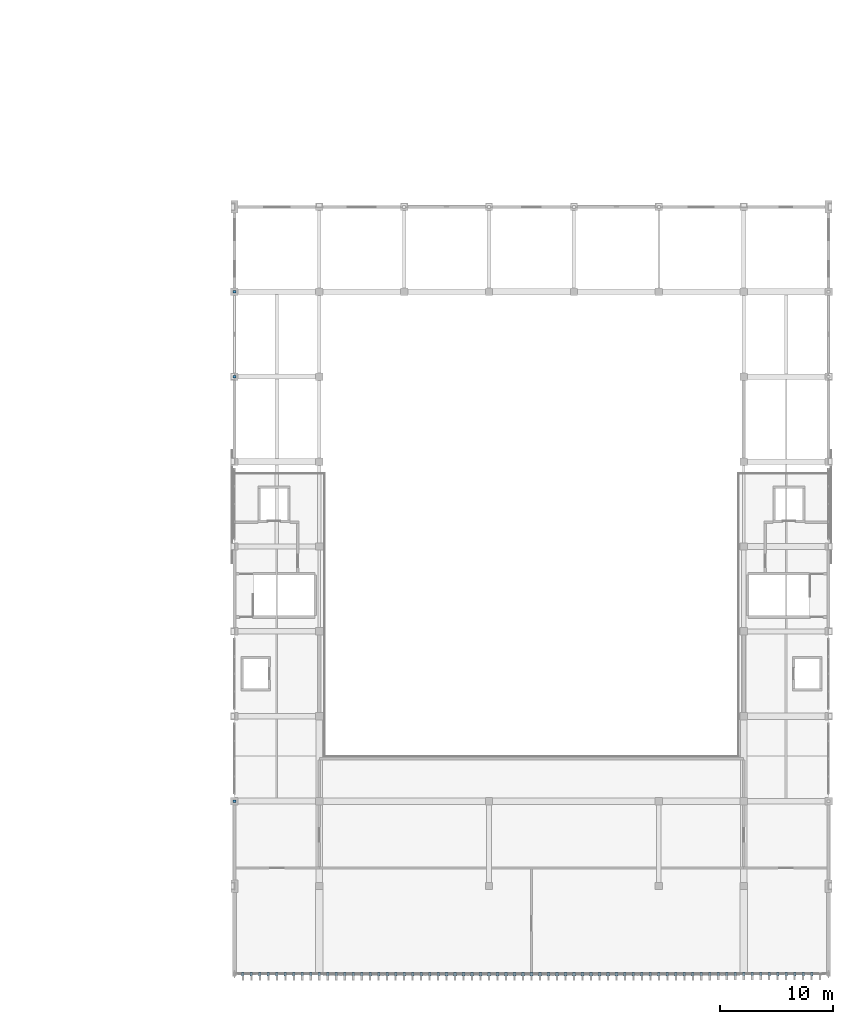
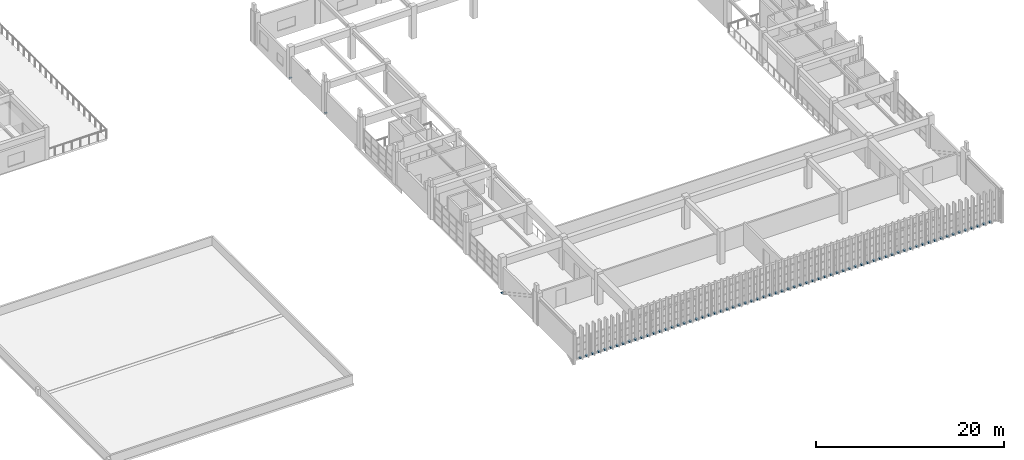
# One storey, part 40 of 51: 71 discrete accessories.
"""IFC4 building model written with IfcOpenShell, lengths in metres."""

from ifc_helpers import new_model, si_unit, direction, frame, origin, origin_2d, place, context, subcontext, project, spatial, rectangle, extrude, material, type_object, element, save


model = new_model("IFC4")

# Units and contexts
model_context = context("Model", 3, precision=1e-05, world=origin(), true_north=direction((0.0, 1.0)))
body_context = subcontext(model_context, "Body", "Model", "MODEL_VIEW")
ifc_project = project(units=[si_unit("LENGTHUNIT", "METRE"), si_unit("AREAUNIT", "SQUARE_METRE"), si_unit("VOLUMEUNIT", "CUBIC_METRE"), si_unit("PLANEANGLEUNIT", "RADIAN"), si_unit("MASSUNIT", "GRAM", prefix="KILO")], contexts=[model_context])

# Site, building, storey
site_placement = place(None, origin())
site = spatial("IfcSite", under=ifc_project, at=site_placement, CompositionType="ELEMENT")
building_placement = place(site_placement, origin())
building = spatial("IfcBuilding", under=site, at=building_placement, Name="Qasida Concert Hall", CompositionType="ELEMENT")
storey_placement = place(building_placement, frame((0.0, 0.0, 21.0)))
storey = spatial("IfcBuildingStorey", under=building, at=storey_placement, Name="L05", CompositionType="ELEMENT", Elevation=21.0)

# Discrete accessories
ifc_material_1 = material(Name="Steel S355J2", Category="steel")
discrete_accessory_type_1 = type_object("IfcDiscreteAccessoryType", Name="ACC-CONN-S355", PredefinedType="BRACKET", material=ifc_material_1)
for number, where, z_axis, x_axis, name in (
    (1, (52.5, 30.0, -0.612060546875), (0.0, 0.0, 1.0), (1.0, 0.0, 0.0), "Steel brace/strut end connection CN-0006"),
    (2, (52.5, 67.5, -0.011962890625), (0.0, 0.0, 1.0), (1.0, 0.0, 0.0), "Steel brace/strut end connection CN-0190"),
    (3, (52.5, 75.0, -0.011962890625), (0.0, 0.0, 1.0), (1.0, 0.0, 0.0), "Steel brace/strut end connection CN-0191"),
):
    element("IfcDiscreteAccessory", number, at=place(storey_placement, frame(where, z_axis=z_axis, x_axis=x_axis)), inside=storey, type_object=discrete_accessory_type_1, Name=name, PredefinedType="BRACKET", context=body_context, shape_type="SweptSolid", body=[
        extrude(rectangle(XDim=0.280029296875, YDim=0.239990234375, at=origin_2d()), origin(), (0.0, 0.0, 1.0), 0.02392578125),
    ])
ifc_material_2 = material(Name="Stainless steel EN 1.4401", Category="steel")
discrete_accessory_type_2 = type_object("IfcDiscreteAccessoryType", Name="ACC-FIN-BRK", PredefinedType="BRACKET", material=ifc_material_2)
for number, where, z_axis, x_axis, name in (
    (4, (53.25, 14.699951171875, -0.08984375), (0.0, 0.0, 1.0), (1.0, 0.0, 0.0), "Facade fin anchor bracket FB-001"),
    (5, (54.0, 14.699951171875, -0.08984375), (0.0, 0.0, 1.0), (1.0, 0.0, 0.0), "Facade fin anchor bracket FB-002"),
    (6, (54.75, 14.699951171875, -0.08984375), (0.0, 0.0, 1.0), (1.0, 0.0, 0.0), "Facade fin anchor bracket FB-003"),
    (7, (55.5, 14.699951171875, -0.08984375), (0.0, 0.0, 1.0), (1.0, 0.0, 0.0), "Facade fin anchor bracket FB-004"),
    (8, (56.25, 14.699951171875, -0.08984375), (0.0, 0.0, 1.0), (1.0, 0.0, 0.0), "Facade fin anchor bracket FB-005"),
    (9, (57.0, 14.699951171875, -0.08984375), (0.0, 0.0, 1.0), (1.0, 0.0, 0.0), "Facade fin anchor bracket FB-006"),
    (10, (57.75, 14.699951171875, -0.08984375), (0.0, 0.0, 1.0), (1.0, 0.0, 0.0), "Facade fin anchor bracket FB-007"),
    (11, (58.5, 14.699951171875, -0.08984375), (0.0, 0.0, 1.0), (1.0, 0.0, 0.0), "Facade fin anchor bracket FB-008"),
    (12, (59.25, 14.699951171875, -0.08984375), (0.0, 0.0, 1.0), (1.0, 0.0, 0.0), "Facade fin anchor bracket FB-009"),
    (13, (60.0, 14.699951171875, -0.08984375), (0.0, 0.0, 1.0), (1.0, 0.0, 0.0), "Facade fin anchor bracket FB-010"),
    (14, (60.75, 14.699951171875, -0.08984375), (0.0, 0.0, 1.0), (1.0, 0.0, 0.0), "Facade fin anchor bracket FB-011"),
    (15, (61.5, 14.699951171875, -0.08984375), (0.0, 0.0, 1.0), (1.0, 0.0, 0.0), "Facade fin anchor bracket FB-012"),
    (16, (62.25, 14.699951171875, -0.08984375), (0.0, 0.0, 1.0), (1.0, 0.0, 0.0), "Facade fin anchor bracket FB-013"),
    (17, (63.0, 14.699951171875, -0.08984375), (0.0, 0.0, 1.0), (1.0, 0.0, 0.0), "Facade fin anchor bracket FB-014"),
    (18, (63.75, 14.699951171875, -0.08984375), (0.0, 0.0, 1.0), (1.0, 0.0, 0.0), "Facade fin anchor bracket FB-015"),
    (19, (64.5, 14.699951171875, -0.08984375), (0.0, 0.0, 1.0), (1.0, 0.0, 0.0), "Facade fin anchor bracket FB-016"),
    (20, (65.25, 14.699951171875, -0.08984375), (0.0, 0.0, 1.0), (1.0, 0.0, 0.0), "Facade fin anchor bracket FB-017"),
    (21, (66.0, 14.699951171875, -0.08984375), (0.0, 0.0, 1.0), (1.0, 0.0, 0.0), "Facade fin anchor bracket FB-018"),
    (22, (66.75, 14.699951171875, -0.08984375), (0.0, 0.0, 1.0), (1.0, 0.0, 0.0), "Facade fin anchor bracket FB-019"),
    (23, (67.5, 14.699951171875, -0.08984375), (0.0, 0.0, 1.0), (1.0, 0.0, 0.0), "Facade fin anchor bracket FB-020"),
    (24, (68.25, 14.699951171875, -0.08984375), (0.0, 0.0, 1.0), (1.0, 0.0, 0.0), "Facade fin anchor bracket FB-021"),
    (25, (69.0, 14.699951171875, -0.08984375), (0.0, 0.0, 1.0), (1.0, 0.0, 0.0), "Facade fin anchor bracket FB-022"),
    (26, (69.75, 14.699951171875, -0.08984375), (0.0, 0.0, 1.0), (1.0, 0.0, 0.0), "Facade fin anchor bracket FB-023"),
    (27, (70.5, 14.699951171875, -0.08984375), (0.0, 0.0, 1.0), (1.0, 0.0, 0.0), "Facade fin anchor bracket FB-024"),
    (28, (71.25, 14.699951171875, -0.08984375), (0.0, 0.0, 1.0), (1.0, 0.0, 0.0), "Facade fin anchor bracket FB-025"),
    (29, (72.0, 14.699951171875, -0.08984375), (0.0, 0.0, 1.0), (1.0, 0.0, 0.0), "Facade fin anchor bracket FB-026"),
    (30, (72.75, 14.699951171875, -0.08984375), (0.0, 0.0, 1.0), (1.0, 0.0, 0.0), "Facade fin anchor bracket FB-027"),
    (31, (73.5, 14.699951171875, -0.08984375), (0.0, 0.0, 1.0), (1.0, 0.0, 0.0), "Facade fin anchor bracket FB-028"),
    (32, (74.25, 14.699951171875, -0.08984375), (0.0, 0.0, 1.0), (1.0, 0.0, 0.0), "Facade fin anchor bracket FB-029"),
    (33, (75.0, 14.699951171875, -0.08984375), (0.0, 0.0, 1.0), (1.0, 0.0, 0.0), "Facade fin anchor bracket FB-030"),
    (34, (75.75, 14.699951171875, -0.08984375), (0.0, 0.0, 1.0), (1.0, 0.0, 0.0), "Facade fin anchor bracket FB-031"),
    (35, (76.5, 14.699951171875, -0.08984375), (0.0, 0.0, 1.0), (1.0, 0.0, 0.0), "Facade fin anchor bracket FB-032"),
    (36, (77.25, 14.699951171875, -0.08984375), (0.0, 0.0, 1.0), (1.0, 0.0, 0.0), "Facade fin anchor bracket FB-033"),
    (37, (78.0, 14.699951171875, -0.08984375), (0.0, 0.0, 1.0), (1.0, 0.0, 0.0), "Facade fin anchor bracket FB-034"),
    (38, (78.75, 14.699951171875, -0.08984375), (0.0, 0.0, 1.0), (1.0, 0.0, 0.0), "Facade fin anchor bracket FB-035"),
    (39, (79.5, 14.699951171875, -0.08984375), (0.0, 0.0, 1.0), (1.0, 0.0, 0.0), "Facade fin anchor bracket FB-036"),
    (40, (80.25, 14.699951171875, -0.08984375), (0.0, 0.0, 1.0), (1.0, 0.0, 0.0), "Facade fin anchor bracket FB-037"),
    (41, (81.0, 14.699951171875, -0.08984375), (0.0, 0.0, 1.0), (1.0, 0.0, 0.0), "Facade fin anchor bracket FB-038"),
    (42, (81.75, 14.699951171875, -0.08984375), (0.0, 0.0, 1.0), (1.0, 0.0, 0.0), "Facade fin anchor bracket FB-039"),
    (43, (82.5, 14.699951171875, -0.08984375), (0.0, 0.0, 1.0), (1.0, 0.0, 0.0), "Facade fin anchor bracket FB-040"),
    (44, (83.25, 14.699951171875, -0.08984375), (0.0, 0.0, 1.0), (1.0, 0.0, 0.0), "Facade fin anchor bracket FB-041"),
    (45, (84.0, 14.699951171875, -0.08984375), (0.0, 0.0, 1.0), (1.0, 0.0, 0.0), "Facade fin anchor bracket FB-042"),
    (46, (84.75, 14.699951171875, -0.08984375), (0.0, 0.0, 1.0), (1.0, 0.0, 0.0), "Facade fin anchor bracket FB-043"),
    (47, (85.5, 14.699951171875, -0.08984375), (0.0, 0.0, 1.0), (1.0, 0.0, 0.0), "Facade fin anchor bracket FB-044"),
    (48, (86.25, 14.699951171875, -0.08984375), (0.0, 0.0, 1.0), (1.0, 0.0, 0.0), "Facade fin anchor bracket FB-045"),
    (49, (87.0, 14.699951171875, -0.08984375), (0.0, 0.0, 1.0), (1.0, 0.0, 0.0), "Facade fin anchor bracket FB-046"),
    (50, (87.75, 14.699951171875, -0.08984375), (0.0, 0.0, 1.0), (1.0, 0.0, 0.0), "Facade fin anchor bracket FB-047"),
    (51, (88.5, 14.699951171875, -0.08984375), (0.0, 0.0, 1.0), (1.0, 0.0, 0.0), "Facade fin anchor bracket FB-048"),
    (52, (89.25, 14.699951171875, -0.08984375), (0.0, 0.0, 1.0), (1.0, 0.0, 0.0), "Facade fin anchor bracket FB-049"),
    (53, (90.0, 14.699951171875, -0.08984375), (0.0, 0.0, 1.0), (1.0, 0.0, 0.0), "Facade fin anchor bracket FB-050"),
    (54, (90.75, 14.699951171875, -0.08984375), (0.0, 0.0, 1.0), (1.0, 0.0, 0.0), "Facade fin anchor bracket FB-051"),
    (55, (91.5, 14.699951171875, -0.08984375), (0.0, 0.0, 1.0), (1.0, 0.0, 0.0), "Facade fin anchor bracket FB-052"),
    (56, (92.25, 14.699951171875, -0.08984375), (0.0, 0.0, 1.0), (1.0, 0.0, 0.0), "Facade fin anchor bracket FB-053"),
    (57, (93.0, 14.699951171875, -0.08984375), (0.0, 0.0, 1.0), (1.0, 0.0, 0.0), "Facade fin anchor bracket FB-054"),
    (58, (93.75, 14.699951171875, -0.08984375), (0.0, 0.0, 1.0), (1.0, 0.0, 0.0), "Facade fin anchor bracket FB-055"),
    (59, (94.5, 14.699951171875, -0.08984375), (0.0, 0.0, 1.0), (1.0, 0.0, 0.0), "Facade fin anchor bracket FB-056"),
    (60, (95.25, 14.699951171875, -0.08984375), (0.0, 0.0, 1.0), (1.0, 0.0, 0.0), "Facade fin anchor bracket FB-057"),
    (61, (96.0, 14.699951171875, -0.08984375), (0.0, 0.0, 1.0), (1.0, 0.0, 0.0), "Facade fin anchor bracket FB-058"),
    (62, (96.75, 14.699951171875, -0.08984375), (0.0, 0.0, 1.0), (1.0, 0.0, 0.0), "Facade fin anchor bracket FB-059"),
    (63, (97.5, 14.699951171875, -0.08984375), (0.0, 0.0, 1.0), (1.0, 0.0, 0.0), "Facade fin anchor bracket FB-060"),
    (64, (98.25, 14.699951171875, -0.08984375), (0.0, 0.0, 1.0), (1.0, 0.0, 0.0), "Facade fin anchor bracket FB-061"),
    (65, (99.0, 14.699951171875, -0.08984375), (0.0, 0.0, 1.0), (1.0, 0.0, 0.0), "Facade fin anchor bracket FB-062"),
    (66, (99.75, 14.699951171875, -0.08984375), (0.0, 0.0, 1.0), (1.0, 0.0, 0.0), "Facade fin anchor bracket FB-063"),
    (67, (100.5, 14.699951171875, -0.08984375), (0.0, 0.0, 1.0), (1.0, 0.0, 0.0), "Facade fin anchor bracket FB-064"),
    (68, (101.25, 14.699951171875, -0.08984375), (0.0, 0.0, 1.0), (1.0, 0.0, 0.0), "Facade fin anchor bracket FB-065"),
    (69, (102.0, 14.699951171875, -0.08984375), (0.0, 0.0, 1.0), (1.0, 0.0, 0.0), "Facade fin anchor bracket FB-066"),
    (70, (102.75, 14.699951171875, -0.08984375), (0.0, 0.0, 1.0), (1.0, 0.0, 0.0), "Facade fin anchor bracket FB-067"),
    (71, (103.5, 14.699951171875, -0.08984375), (0.0, 0.0, 1.0), (1.0, 0.0, 0.0), "Facade fin anchor bracket FB-068"),
):
    element("IfcDiscreteAccessory", number, at=place(storey_placement, frame(where, z_axis=z_axis, x_axis=x_axis)), inside=storey, type_object=discrete_accessory_type_2, Name=name, PredefinedType="BRACKET", context=body_context, shape_type="SweptSolid", body=[
        extrude(rectangle(XDim=0.239990234375, YDim=0.320068359375, at=origin_2d()), origin(), (0.0, 0.0, 1.0), 0.179931640625),
    ])

save(model, "model.ifc")
